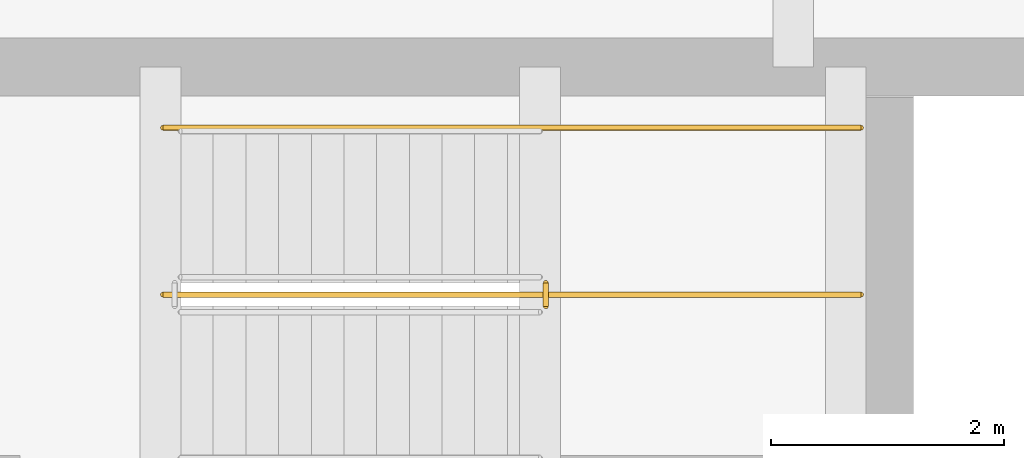
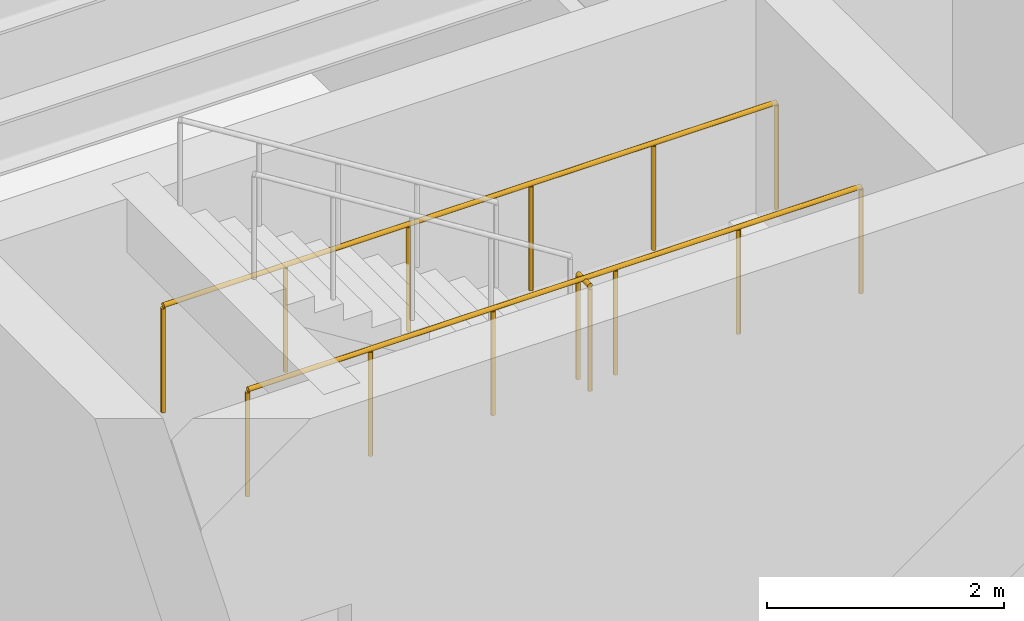
# One storey, part 32 of 33: 3 railings.
"""IFC4 building model written with IfcOpenShell, lengths in metres."""

from ifc_helpers import new_model, si_unit, direction, frame, origin, origin_2d, place, context, subcontext, project, spatial, circle, extrude, material, type_object, element, save


model = new_model("IFC4")

# Units and contexts
model_context = context("Model", 3, precision=1e-05, world=origin(), true_north=direction((0.0, 1.0)))
body_context = subcontext(model_context, "Body", "Model", "MODEL_VIEW")
ifc_project = project(units=[si_unit("LENGTHUNIT", "METRE"), si_unit("AREAUNIT", "SQUARE_METRE"), si_unit("VOLUMEUNIT", "CUBIC_METRE"), si_unit("PLANEANGLEUNIT", "RADIAN"), si_unit("MASSUNIT", "GRAM", prefix="KILO")], contexts=[model_context])

# Site, building, storey
site_placement = place(None, origin())
site = spatial("IfcSite", under=ifc_project, at=site_placement, CompositionType="ELEMENT")
building_placement = place(site_placement, origin())
building = spatial("IfcBuilding", under=site, at=building_placement, Name="Mithqara Police Headquarters", CompositionType="ELEMENT")
storey_placement = place(building_placement, frame((0.0, 0.0, -4.199951171875)))
storey = spatial("IfcBuildingStorey", under=building, at=storey_placement, Name="B1", CompositionType="ELEMENT", Elevation=-4.199951171875)

# Railings
ifc_material = material(Name="Steel S355JR", Category="steel")
railing_type = type_object("IfcRailingType", Name="STAIR GUARD 1120", PredefinedType="GUARDRAIL", material=ifc_material)
railing_placement = place(storey_placement, frame((135.280029296875, 98.14990234375, 2.099853515625)))
element("IfcRailing", 1, at=railing_placement, inside=storey, type_object=railing_type, Name="B1 ST-02 stair guard 2", PredefinedType="GUARDRAIL", context=body_context, shape_type="SweptSolid", body=[
    extrude(circle(Radius=0.02392578125, at=origin_2d()), frame((0.0, 0.0, 1.076171875), z_axis=(0.0, 1.0, 0.0), x_axis=(-1.0, 0.0, 0.0)), (0.0, 0.0, 1.0), 0.2001953125),
    extrude(circle(Radius=0.02099609375, at=origin_2d()), origin(), (0.0, 0.0, 1.0), 1.052001953125),
    extrude(circle(Radius=0.02099609375, at=origin_2d()), frame((0.0, 0.2001953125, 0.0)), (0.0, 0.0, 1.0), 1.052001953125),
])
for number, where, name in (
    (2, (132.0, 98.25, 2.099853515625), "B1 ST-02 Half-Landing Guard IN"),
    (3, (132.0, 99.679931640625, 2.099853515625), "B1 ST-02 Half-Landing Guard OUT"),
):
    element("IfcRailing", number, at=place(storey_placement, frame(where)), inside=storey, type_object=railing_type, Name=name, PredefinedType="GUARDRAIL", context=body_context, shape_type="SweptSolid", body=[
        extrude(circle(Radius=0.02392578125, at=origin_2d()), frame((0.0, 0.0, 1.09619140625), z_axis=(1.0, 0.0, 0.0), x_axis=(0.0, 1.0, 0.0)), (0.0, 0.0, 1.0), 5.97998046875),
        extrude(circle(Radius=0.02099609375, at=origin_2d()), origin(), (0.0, 0.0, 1.0), 1.072021484375),
        extrude(circle(Radius=0.02099609375, at=origin_2d()), frame((1.196044921875, 0.0, 0.0)), (0.0, 0.0, 1.0), 1.072021484375),
        extrude(circle(Radius=0.02099609375, at=origin_2d()), frame((2.39208984375, 0.0, 0.0)), (0.0, 0.0, 1.0), 1.072021484375),
        extrude(circle(Radius=0.02099609375, at=origin_2d()), frame((3.587890625, 0.0, 0.0)), (0.0, 0.0, 1.0), 1.072021484375),
        extrude(circle(Radius=0.02099609375, at=origin_2d()), frame((4.783935546875, 0.0, 0.0)), (0.0, 0.0, 1.0), 1.072021484375),
        extrude(circle(Radius=0.02099609375, at=origin_2d()), frame((5.97998046875, 0.0, 0.0)), (0.0, 0.0, 1.0), 1.072021484375),
    ])

save(model, "model.ifc")
